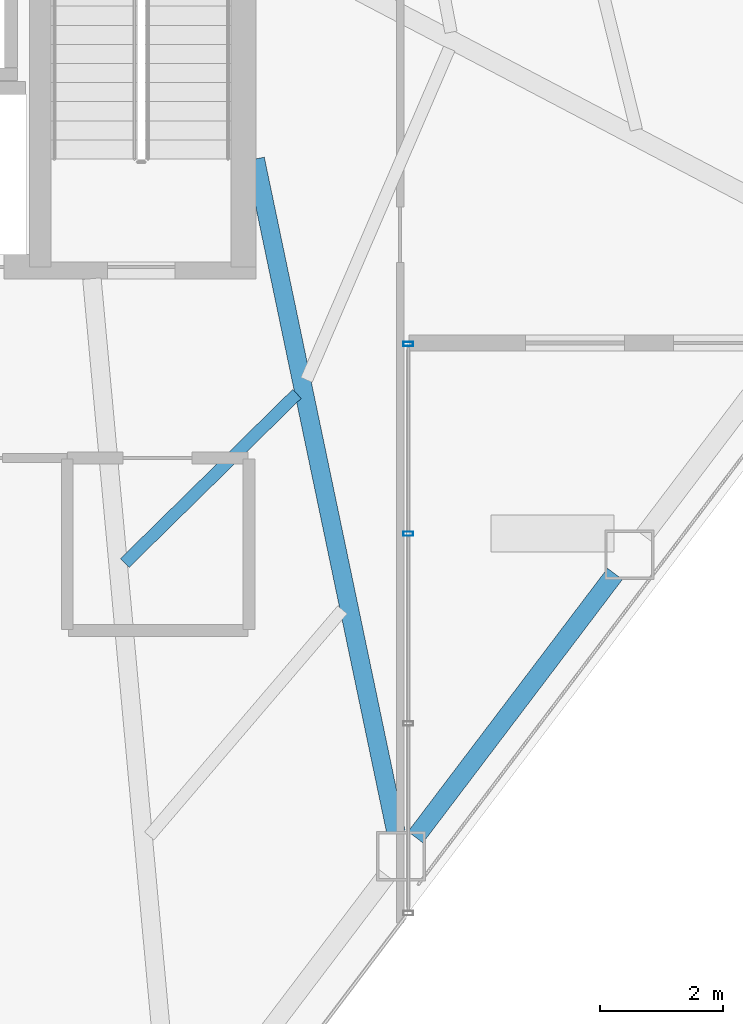
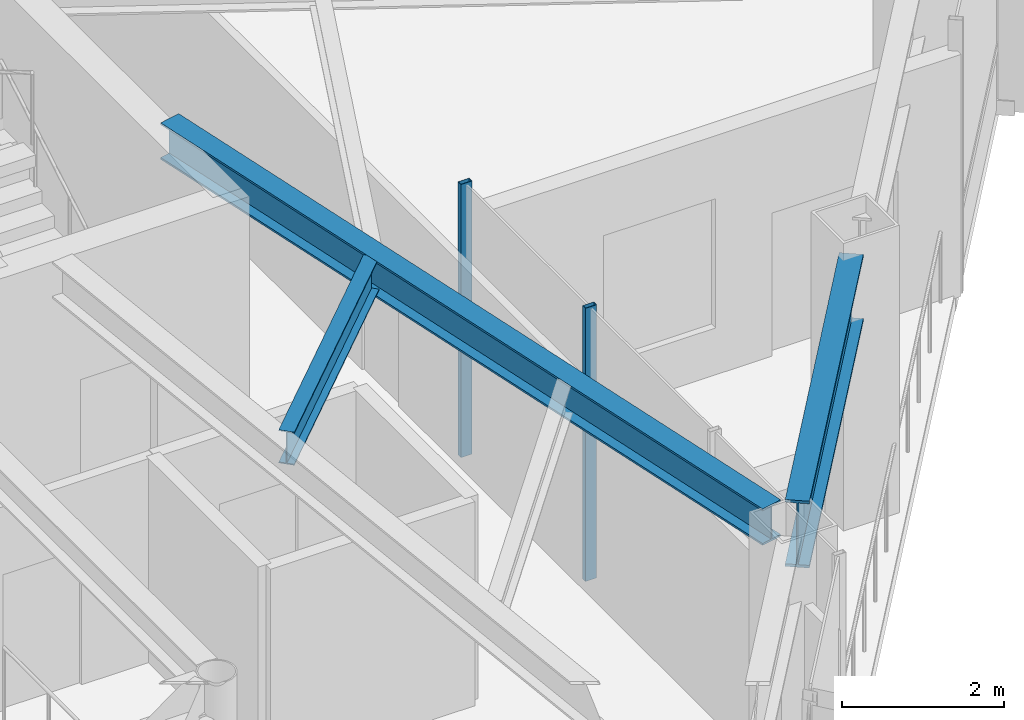
# One storey, part 16 of 27: 3 beams, 2 members, 1 element without a shape of its own.
"""IFC4 building model written with IfcOpenShell, lengths in metres."""

from ifc_helpers import new_model, si_unit, direction, frame, origin, origin_2d, place, context, subcontext, project, spatial, hollow_rectangle, i_section, extrude, material, layer, layer_set, material_profile, profile_set, type_object, element, aggregate, save


model = new_model("IFC4")

# Units and contexts
model_context = context("Model", 3, precision=1e-05, world=origin(), true_north=direction((0.0, 1.0)))
body_context = subcontext(model_context, "Body", "Model", "MODEL_VIEW")
ifc_project = project(units=[si_unit("LENGTHUNIT", "METRE"), si_unit("AREAUNIT", "SQUARE_METRE"), si_unit("VOLUMEUNIT", "CUBIC_METRE"), si_unit("PLANEANGLEUNIT", "RADIAN"), si_unit("MASSUNIT", "GRAM", prefix="KILO")], contexts=[model_context])

# Site, building, storey
site_placement = place(None, origin())
site = spatial("IfcSite", under=ifc_project, at=site_placement, CompositionType="ELEMENT")
building_placement = place(site_placement, origin())
building = spatial("IfcBuilding", under=site, at=building_placement, Name="Zarrinselat Tower", CompositionType="ELEMENT")
storey_placement = place(building_placement, frame((0.0, 0.0, 114.580078125)))
storey = spatial("IfcBuildingStorey", under=building, at=storey_placement, Name="L27", CompositionType="ELEMENT", Elevation=114.580078125)

# Beams
ifc_material_1 = material(Name="Steel S355J2", Category="steel")
ifc_material_profile_1 = material_profile(ifc_material_1, i_section(OverallWidth=0.300048828125, OverallDepth=0.550048828125, WebThickness=0.014892578125, FlangeThickness=0.029052734375, at=origin_2d()), Name="HEB 550")
ifc_profile_set_1 = profile_set([ifc_material_profile_1], Name="Steel S355J2")
beam_type_1 = type_object("IfcBeamType", Name="BM-HEB550", PredefinedType="BEAM", material=ifc_profile_set_1)
beam_1_placement = place(storey_placement, frame((48.449951171875, 35.0, 3.844970703125), z_axis=(0.204628099277, -0.97883979332, 0.0), x_axis=(0.97883979332, 0.204628099277, 0.0)))
element("IfcBeam", 1, at=beam_1_placement, inside=storey, type_object=beam_type_1, Name="L27 Radial Primary Girder RG12", PredefinedType="BEAM", context=body_context, shape_type="SweptSolid", body=[
    extrude(i_section(OverallWidth=0.300048828125, OverallDepth=0.550048828125, WebThickness=0.014892578125, FlangeThickness=0.029052734375, at=origin_2d()), origin(), (0.0, 0.0, 1.0), 11.154296875),
])
ifc_material_2 = material(Name="Steel S460M", Category="steel")
ifc_material_profile_2 = material_profile(ifc_material_2, i_section(OverallWidth=0.302001953125, OverallDepth=1.008056640625, WebThickness=0.02099609375, FlangeThickness=0.0400390625, at=origin_2d()), Name="HEM 1000")
ifc_profile_set_2 = profile_set([ifc_material_profile_2], Name="Steel S460M")
beam_type_2 = type_object("IfcBeamType", Name="BM-HEM1000", PredefinedType="BEAM", material=ifc_profile_set_2)
beam_2_placement = place(storey_placement, frame((51.049072265625, 23.99755859375, 3.615966796875), z_axis=(0.603869965046, 0.797082847209, 0.0), x_axis=(-0.797082847209, 0.603869965046, 0.0)))
element("IfcBeam", 2, at=beam_2_placement, inside=storey, type_object=beam_type_2, Name="L27 Perimeter Spandrel Girder SP12", PredefinedType="BEAM", context=body_context, shape_type="SweptSolid", body=[
    extrude(i_section(OverallWidth=0.302001953125, OverallDepth=1.008056640625, WebThickness=0.02099609375, FlangeThickness=0.0400390625, at=origin_2d()), origin(), (0.0, 0.0, 1.0), 5.360107421875),
])
ifc_material_3 = material(Name="Steel S355J2", Category="steel")
ifc_material_profile_3 = material_profile(ifc_material_3, i_section(OverallWidth=0.199951171875, OverallDepth=0.5, WebThickness=0.01025390625, FlangeThickness=0.01611328125, at=origin_2d()), Name="IPE 500")
ifc_profile_set_3 = profile_set([ifc_material_profile_3], Name="Steel S355J2")
beam_type_3 = type_object("IfcBeamType", Name="BM-IPE500", PredefinedType="JOIST", material=ifc_profile_set_3)
beam_3_placement = place(storey_placement, frame((46.33251953125, 28.44482421875, 3.869873046875), z_axis=(0.713312922026, 0.700845685776, 0.0), x_axis=(-0.700845685776, 0.713312922026, 0.0)))
element("IfcBeam", 3, at=beam_3_placement, inside=storey, type_object=beam_type_3, Name="L27 Composite Floor Joist 3-2", PredefinedType="JOIST", context=body_context, shape_type="SweptSolid", body=[
    extrude(i_section(OverallWidth=0.199951171875, OverallDepth=0.5, WebThickness=0.01025390625, FlangeThickness=0.01611328125, at=origin_2d()), origin(), (0.0, 0.0, 1.0), 3.91650390625),
])

# Curtain wall, members
ifc_material_4 = material(Name="Extruded Aluminium Alloy EN AW-6063 T6", Category="aluminium")
ifc_layer = layer(ifc_material_4, 0.18994140625)
ifc_layer_set = layer_set([ifc_layer], Name="Extruded Aluminium Alloy EN AW-6063 T6")
curtain_wall_type = type_object("IfcCurtainWallType", Name="CWS-SG", PredefinedType="NOTDEFINED", material=ifc_layer_set)
curtain_wall_placement = place(storey_placement, origin())
curtain_wall = element("IfcCurtainWall", 4, at=curtain_wall_placement, inside=storey, type_object=curtain_wall_type, Name="L27 Unitised Curtain Wall CW-L27-E24", PredefinedType="NOTDEFINED")
ifc_material_5 = material(Name="Extruded Aluminium Alloy EN AW-6063 T6", Category="aluminium")
ifc_material_profile_4 = material_profile(ifc_material_5, hollow_rectangle(XDim=0.070068359375, YDim=0.159912109375, WallThickness=0.00390625, at=origin_2d()), Name="RHS 160x70x4")
ifc_profile_set_4 = profile_set([ifc_material_profile_4], Name="Extruded Aluminium Alloy EN AW-6063 T6")
member_type = type_object("IfcMemberType", Name="MEM-CW-MUL2", PredefinedType="MULLION", material=ifc_profile_set_4)
member_1_placement = place(storey_placement, frame((50.931396484375, 32.0, 0.0), z_axis=(0.0, 0.0, 1.0), x_axis=(0.0, -1.0, 0.0)))
member_1 = element("IfcMember", 5, at=member_1_placement, type_object=member_type, Name="CW-L27-E24 Mullion 0", PredefinedType="MULLION", context=body_context, shape_type="SweptSolid", body=[
    extrude(hollow_rectangle(XDim=0.070068359375, YDim=0.159912109375, WallThickness=0.00390625, at=origin_2d()), origin(), (0.0, 0.0, 1.0), 4.119873046875),
])
member_2_placement = place(storey_placement, frame((50.931396484375, 28.922119140625, 0.0), z_axis=(0.0, 0.0, 1.0), x_axis=(0.0, -1.0, 0.0)))
member_2 = element("IfcMember", 6, at=member_2_placement, type_object=member_type, Name="CW-L27-E24 Mullion 1", PredefinedType="MULLION", context=body_context, shape_type="SweptSolid", body=[
    extrude(hollow_rectangle(XDim=0.070068359375, YDim=0.159912109375, WallThickness=0.00390625, at=origin_2d()), origin(), (0.0, 0.0, 1.0), 4.119873046875),
])
aggregate(curtain_wall, [member_1, member_2])

save(model, "model.ifc")
